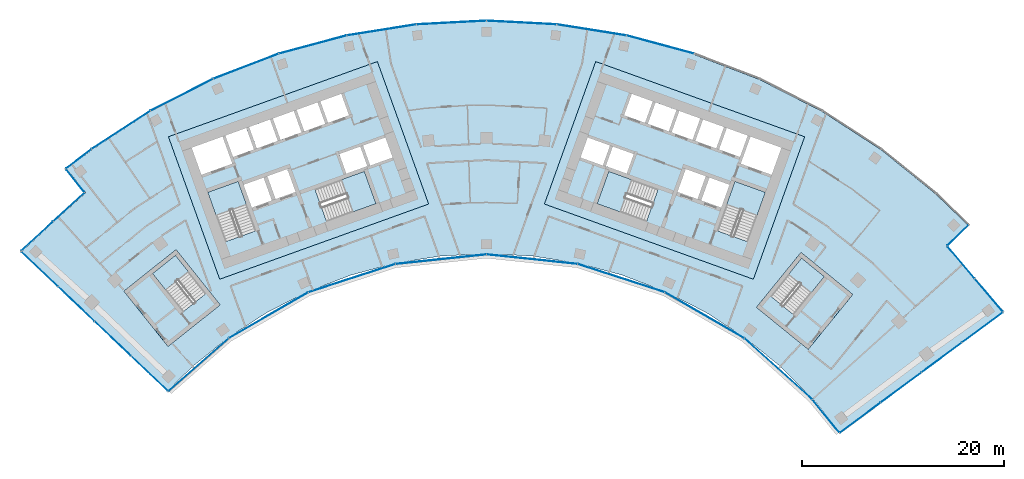
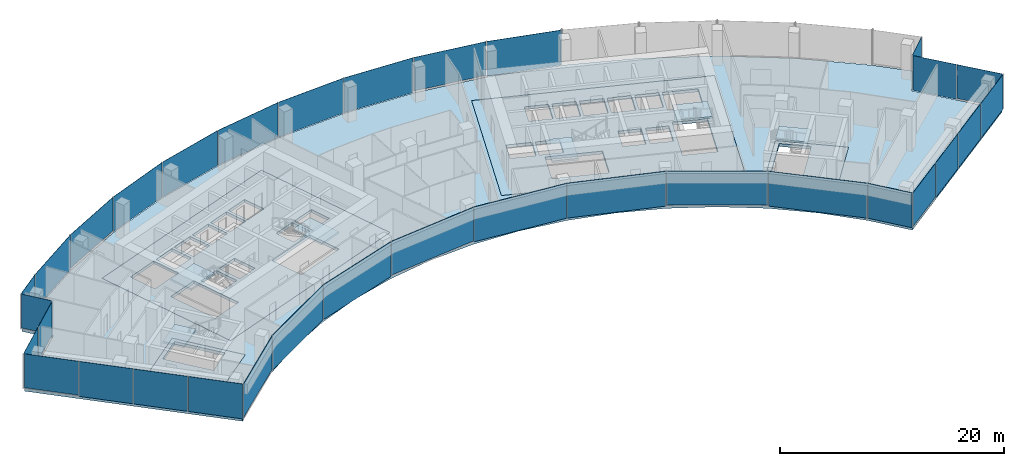
# One storey, part 10 of 19: 33 plates, 11 slabs, 14 elements without a shape of their own.
"""IFC4 building model written with IfcOpenShell, lengths in metres."""

from ifc_helpers import new_model, si_unit, direction, frame, origin, origin_2d, place, context, subcontext, project, spatial, polyline, rectangle, outline, extrude, material, layer, layer_set, type_object, element, aggregate, save


model = new_model("IFC4")

# Units and contexts
model_context = context("Model", 3, precision=1e-05, world=origin(), true_north=direction((0.0, 1.0)))
body_context = subcontext(model_context, "Body", "Model", "MODEL_VIEW")
ifc_project = project(units=[si_unit("LENGTHUNIT", "METRE"), si_unit("AREAUNIT", "SQUARE_METRE"), si_unit("VOLUMEUNIT", "CUBIC_METRE"), si_unit("PLANEANGLEUNIT", "RADIAN"), si_unit("MASSUNIT", "GRAM", prefix="KILO")], contexts=[model_context])

# Site, building, storey
site_placement = place(None, origin())
site = spatial("IfcSite", under=ifc_project, at=site_placement, CompositionType="ELEMENT")
building_placement = place(site_placement, origin())
building = spatial("IfcBuilding", under=site, at=building_placement, Name="Stone Belt Terrace Tower", CompositionType="ELEMENT")
storey_placement = place(building_placement, frame((0.0, 0.0, 204.800048828125)))
storey = spatial("IfcBuildingStorey", under=building, at=storey_placement, Name="L49", CompositionType="ELEMENT", Elevation=204.800048828125)

# Curtain wall, plates
ifc_material_1 = material(Name="Aluminium 6063-T6 anodised frame", Category="aluminium")
ifc_layer_1 = layer(ifc_material_1, 0.14990234375)
ifc_layer_set_1 = layer_set([ifc_layer_1], Name="CW-A unitised convex-face curtain wall")
curtain_wall_type_1 = type_object("IfcCurtainWallType", Name="CW-A unitised convex-face curtain wall", PredefinedType="NOTDEFINED", material=ifc_layer_set_1)
curtain_wall_1_placement = place(storey_placement, origin())
curtain_wall_1 = element("IfcCurtainWall", 1, at=curtain_wall_1_placement, inside=storey, type_object=curtain_wall_type_1, Name="CW-A convex face L49", PredefinedType="NOTDEFINED")
ifc_material_2 = material(Name="Clear double glazed unit")
ifc_layer_2 = layer(ifc_material_2, 0.031982421875)
ifc_layer_set_2 = layer_set([ifc_layer_2], Name="CW-A glass panel 32")
plate_type_1 = type_object("IfcPlateType", Name="CW-A glass panel 32", PredefinedType="CURTAIN_PANEL", material=ifc_layer_set_2)
plate_1_placement = place(storey_placement, frame((17.207275390625, 64.218505859375, 0.0), z_axis=(0.0, 0.0, 1.0), x_axis=(-0.965925826289, 0.258819045103, 0.0)))
plate_1 = element("IfcPlate", 2, at=plate_1_placement, type_object=plate_type_1, Name="CW-A panel 6.1", PredefinedType="CURTAIN_PANEL", context=body_context, shape_type="SweptSolid", body=[
    extrude(rectangle(XDim=6.90087890625, YDim=0.031982421875, at=origin_2d()), origin(), (0.0, 0.0, 1.0), 3.800048828125),
])
plate_2_placement = place(storey_placement, frame((10.400390625, 65.665283203125, 0.14013671875), z_axis=(0.0, 0.0, 1.0), x_axis=(-0.987688340595, 0.15643446504, 0.0)))
plate_2 = element("IfcPlate", 3, at=plate_2_placement, type_object=plate_type_1, Name="CW-A panel 7.1", PredefinedType="CURTAIN_PANEL", context=body_context, shape_type="SweptSolid", body=[
    extrude(rectangle(XDim=6.90087890625, YDim=0.031982421875, at=origin_2d()), origin(), (0.0, 0.0, 1.0), 3.659912109375),
])
plate_3_placement = place(storey_placement, frame((3.4794921875, 66.392822265625, 0.0), z_axis=(0.0, 0.0, 1.0), x_axis=(-0.998629534755, 0.052335956243, 0.0)))
plate_3 = element("IfcPlate", 4, at=plate_3_placement, type_object=plate_type_1, Name="CW-A panel 8.1", PredefinedType="CURTAIN_PANEL", context=body_context, shape_type="SweptSolid", body=[
    extrude(rectangle(XDim=6.90087890625, YDim=0.031982421875, at=origin_2d()), origin(), (0.0, 0.0, 1.0), 3.800048828125),
])
plate_4_placement = place(storey_placement, frame((-3.4794921875, 66.392822265625, 0.0), z_axis=(0.0, 0.0, 1.0), x_axis=(-0.998629534755, -0.052335956243, 0.0)))
plate_4 = element("IfcPlate", 5, at=plate_4_placement, type_object=plate_type_1, Name="CW-A panel 9.1", PredefinedType="CURTAIN_PANEL", context=body_context, shape_type="SweptSolid", body=[
    extrude(rectangle(XDim=6.90087890625, YDim=0.031982421875, at=origin_2d()), origin(), (0.0, 0.0, 1.0), 3.800048828125),
])
plate_5_placement = place(storey_placement, frame((-10.400390625, 65.665283203125, 0.0), z_axis=(0.0, 0.0, 1.0), x_axis=(-0.987688340595, -0.15643446504, 0.0)))
plate_5 = element("IfcPlate", 6, at=plate_5_placement, type_object=plate_type_1, Name="CW-A panel 10.1", PredefinedType="CURTAIN_PANEL", context=body_context, shape_type="SweptSolid", body=[
    extrude(rectangle(XDim=6.90087890625, YDim=0.031982421875, at=origin_2d()), origin(), (0.0, 0.0, 1.0), 3.800048828125),
])
plate_6_placement = place(storey_placement, frame((-17.207275390625, 64.218505859375, 0.0), z_axis=(0.0, 0.0, 1.0), x_axis=(-0.965925826289, -0.258819045103, 0.0)))
plate_6 = element("IfcPlate", 7, at=plate_6_placement, type_object=plate_type_1, Name="CW-A panel 11.1", PredefinedType="CURTAIN_PANEL", context=body_context, shape_type="SweptSolid", body=[
    extrude(rectangle(XDim=6.90087890625, YDim=0.031982421875, at=origin_2d()), origin(), (0.0, 0.0, 1.0), 3.800048828125),
])
plate_7_placement = place(storey_placement, frame((-23.82568359375, 62.068115234375, 0.0), z_axis=(0.0, 0.0, 1.0), x_axis=(-0.933580426497, -0.358367949545, 0.0)))
plate_7 = element("IfcPlate", 8, at=plate_7_placement, type_object=plate_type_1, Name="CW-A panel 12.1", PredefinedType="CURTAIN_PANEL", context=body_context, shape_type="SweptSolid", body=[
    extrude(rectangle(XDim=6.90087890625, YDim=0.031982421875, at=origin_2d()), origin(), (0.0, 0.0, 1.0), 3.800048828125),
])
plate_8_placement = place(storey_placement, frame((-30.18310546875, 59.237548828125, 0.14013671875), z_axis=(0.0, 0.0, 1.0), x_axis=(-0.891006524188, -0.45399049974, 0.0)))
plate_8 = element("IfcPlate", 9, at=plate_8_placement, type_object=plate_type_1, Name="CW-A panel 13.1", PredefinedType="CURTAIN_PANEL", context=body_context, shape_type="SweptSolid", body=[
    extrude(rectangle(XDim=6.90087890625, YDim=0.031982421875, at=origin_2d()), origin(), (0.0, 0.0, 1.0), 3.659912109375),
])
plate_9_placement = place(storey_placement, frame((-36.209716796875, 55.758056640625, 0.0), z_axis=(0.0, 0.0, 1.0), x_axis=(-0.838670567945, -0.544639035015, 0.0)))
plate_9 = element("IfcPlate", 10, at=plate_9_placement, type_object=plate_type_1, Name="CW-A panel 14.1", PredefinedType="CURTAIN_PANEL", context=body_context, shape_type="SweptSolid", body=[
    extrude(rectangle(XDim=6.900634765625, YDim=0.031982421875, at=origin_2d()), origin(), (0.0, 0.0, 1.0), 3.800048828125),
])
plate_10_placement = place(storey_placement, frame((-40.394775390625, 52.896240234375, 0.0), z_axis=(0.0, 0.0, 1.0), x_axis=(-0.794905425637, -0.606733355184, 0.0)))
plate_10 = element("IfcPlate", 11, at=plate_10_placement, type_object=plate_type_1, Name="CW-A panel 15.1", PredefinedType="CURTAIN_PANEL", context=body_context, shape_type="SweptSolid", body=[
    extrude(rectangle(XDim=3.1142578125, YDim=0.031982421875, at=origin_2d()), origin(), (0.0, 0.0, 1.0), 3.800048828125),
])
aggregate(curtain_wall_1, [plate_1, plate_2, plate_3, plate_4, plate_5, plate_6, plate_7, plate_8, plate_9, plate_10])

ifc_layer_3 = layer(ifc_material_1, 0.14990234375)
ifc_layer_set_3 = layer_set([ifc_layer_3], Name="CW-B unitised concave-face curtain wall")
curtain_wall_type_2 = type_object("IfcCurtainWallType", Name="CW-B unitised concave-face curtain wall", PredefinedType="NOTDEFINED", material=ifc_layer_set_3)
curtain_wall_2_placement = place(storey_placement, origin())
curtain_wall_2 = element("IfcCurtainWall", 12, at=curtain_wall_2_placement, inside=storey, type_object=curtain_wall_type_2, Name="CW-B concave face L49", PredefinedType="NOTDEFINED")
ifc_layer_4 = layer(ifc_material_2, 0.030029296875)
ifc_layer_set_4 = layer_set([ifc_layer_4], Name="CW-B glass panel 30")
plate_type_2 = type_object("IfcPlateType", Name="CW-B glass panel 30", PredefinedType="CURTAIN_PANEL", material=ifc_layer_set_4)
plate_11_placement = place(storey_placement, frame((-28.516357421875, 32.509033203125, 0.1201171875), z_axis=(0.0, 0.0, 1.0), x_axis=(0.752060320301, 0.659094283566, 0.0)))
plate_11 = element("IfcPlate", 13, at=plate_11_placement, type_object=plate_type_2, Name="CW-B panel 1.1", PredefinedType="CURTAIN_PANEL", context=body_context, shape_type="SweptSolid", body=[
    extrude(rectangle(XDim=7.8916015625, YDim=0.030029296875, at=origin_2d()), origin(), (0.0, 0.0, 1.0), 3.679931640625),
])
plate_12_placement = place(storey_placement, frame((-21.59375, 37.400634765625, 0.0), z_axis=(0.0, 0.0, 1.0), x_axis=(0.866025403784, 0.5, 0.0)))
plate_12 = element("IfcPlate", 14, at=plate_12_placement, type_object=plate_type_2, Name="CW-B panel 2.1", PredefinedType="CURTAIN_PANEL", context=body_context, shape_type="SweptSolid", body=[
    extrude(rectangle(XDim=9.013916015625, YDim=0.030029296875, at=origin_2d()), origin(), (0.0, 0.0, 1.0), 3.800048828125),
])
plate_13_placement = place(storey_placement, frame((-13.345458984375, 41.072998046875, 0.0), z_axis=(0.0, 0.0, 1.0), x_axis=(0.951056516295, 0.309016994375, 0.0)))
plate_13 = element("IfcPlate", 15, at=plate_13_placement, type_object=plate_type_2, Name="CW-B panel 3.1", PredefinedType="CURTAIN_PANEL", context=body_context, shape_type="SweptSolid", body=[
    extrude(rectangle(XDim=9.0126953125, YDim=0.030029296875, at=origin_2d()), origin(), (0.0, 0.0, 1.0), 3.800048828125),
])
plate_14_placement = place(storey_placement, frame((-4.51416015625, 42.9501953125, 0.1201171875), z_axis=(0.0, 0.0, 1.0), x_axis=(0.994521895368, 0.104528463268, 0.0)))
plate_14 = element("IfcPlate", 16, at=plate_14_placement, type_object=plate_type_2, Name="CW-B panel 4.1", PredefinedType="CURTAIN_PANEL", context=body_context, shape_type="SweptSolid", body=[
    extrude(rectangle(XDim=9.0126953125, YDim=0.030029296875, at=origin_2d()), origin(), (0.0, 0.0, 1.0), 3.679931640625),
])
plate_15_placement = place(storey_placement, frame((4.51416015625, 42.9501953125, 0.0), z_axis=(0.0, 0.0, 1.0), x_axis=(0.994521895368, -0.104528463268, 0.0)))
plate_15 = element("IfcPlate", 17, at=plate_15_placement, type_object=plate_type_2, Name="CW-B panel 5.1", PredefinedType="CURTAIN_PANEL", context=body_context, shape_type="SweptSolid", body=[
    extrude(rectangle(XDim=9.0126953125, YDim=0.030029296875, at=origin_2d()), origin(), (0.0, 0.0, 1.0), 3.800048828125),
])
plate_16_placement = place(storey_placement, frame((13.345458984375, 41.072998046875, 0.0), z_axis=(0.0, 0.0, 1.0), x_axis=(0.951056516295, -0.309016994375, 0.0)))
plate_16 = element("IfcPlate", 18, at=plate_16_placement, type_object=plate_type_2, Name="CW-B panel 6.1", PredefinedType="CURTAIN_PANEL", context=body_context, shape_type="SweptSolid", body=[
    extrude(rectangle(XDim=9.0126953125, YDim=0.030029296875, at=origin_2d()), origin(), (0.0, 0.0, 1.0), 3.800048828125),
])
plate_17_placement = place(storey_placement, frame((21.59326171875, 37.40087890625, 0.1201171875), z_axis=(0.0, 0.0, 1.0), x_axis=(0.866025403784, -0.5, 0.0)))
plate_17 = element("IfcPlate", 19, at=plate_17_placement, type_object=plate_type_2, Name="CW-B panel 7.1", PredefinedType="CURTAIN_PANEL", context=body_context, shape_type="SweptSolid", body=[
    extrude(rectangle(XDim=9.0126953125, YDim=0.030029296875, at=origin_2d()), origin(), (0.0, 0.0, 1.0), 3.679931640625),
])
plate_18_placement = place(storey_placement, frame((28.899169921875, 32.092529296875, 0.0), z_axis=(0.0, 0.0, 1.0), x_axis=(0.743144825477, -0.669130606359, 0.0)))
plate_18 = element("IfcPlate", 20, at=plate_18_placement, type_object=plate_type_2, Name="CW-B panel 8.1", PredefinedType="CURTAIN_PANEL", context=body_context, shape_type="SweptSolid", body=[
    extrude(rectangle(XDim=9.01708984375, YDim=0.030029296875, at=origin_2d()), origin(), (0.0, 0.0, 1.0), 3.800048828125),
])
plate_19_placement = place(storey_placement, frame((33.611572265625, 27.4150390625, 0.0), z_axis=(0.0, 0.0, 1.0), x_axis=(0.632397726807, -0.774643863417, 0.0)))
plate_19 = element("IfcPlate", 21, at=plate_19_placement, type_object=plate_type_2, Name="CW-B panel 9.1", PredefinedType="CURTAIN_PANEL", context=body_context, shape_type="SweptSolid", body=[
    extrude(rectangle(XDim=4.173828125, YDim=0.030029296875, at=origin_2d()), origin(), (0.0, 0.0, 1.0), 3.800048828125),
])
aggregate(curtain_wall_2, [plate_11, plate_12, plate_13, plate_14, plate_15, plate_16, plate_17, plate_18, plate_19])

ifc_layer_5 = layer(ifc_material_1, 0.14990234375)
ifc_layer_set_5 = layer_set([ifc_layer_5], Name="CW-C stick curtain wall, horn ends and notches")
curtain_wall_type_3 = type_object("IfcCurtainWallType", Name="CW-C stick curtain wall, horn ends and notches", PredefinedType="NOTDEFINED", material=ifc_layer_set_5)
curtain_wall_3_placement = place(storey_placement, origin())
curtain_wall_3 = element("IfcCurtainWall", 22, at=curtain_wall_3_placement, inside=storey, type_object=curtain_wall_type_3, Name="CW-C end face L49", PredefinedType="NOTDEFINED")
ifc_layer_6 = layer(ifc_material_2, 0.028076171875)
ifc_layer_set_6 = layer_set([ifc_layer_6], Name="CW-C glass panel 28")
plate_type_3 = type_object("IfcPlateType", Name="CW-C glass panel 28", PredefinedType="CURTAIN_PANEL", material=ifc_layer_set_6)
plate_20_placement = place(storey_placement, frame((37.032470703125, 27.263916015625, 0.1201171875), z_axis=(0.0, 0.0, 1.0), x_axis=(0.804329077539, 0.594184091865, 0.0)))
plate_20 = element("IfcPlate", 23, at=plate_20_placement, type_object=plate_type_3, Name="CW-C panel 1.1", PredefinedType="CURTAIN_PANEL", context=body_context, shape_type="SweptSolid", body=[
    extrude(rectangle(XDim=4.968017578125, YDim=0.028076171875, at=origin_2d()), origin(), (0.0, 0.0, 1.0), 3.679931640625),
])
plate_21_placement = place(storey_placement, frame((41.0654296875, 30.2431640625, 0.0), z_axis=(0.0, 0.0, 1.0), x_axis=(0.804329077539, 0.594184091865, 0.0)))
plate_21 = element("IfcPlate", 24, at=plate_21_placement, type_object=plate_type_3, Name="CW-C panel 2.1", PredefinedType="CURTAIN_PANEL", context=body_context, shape_type="SweptSolid", body=[
    extrude(rectangle(XDim=4.93994140625, YDim=0.028076171875, at=origin_2d()), origin(), (0.0, 0.0, 1.0), 3.800048828125),
])
plate_22_placement = place(storey_placement, frame((45.0869140625, 33.2138671875, 0.0), z_axis=(0.0, 0.0, 1.0), x_axis=(0.804329077539, 0.594184091865, 0.0)))
plate_22 = element("IfcPlate", 25, at=plate_22_placement, type_object=plate_type_3, Name="CW-C panel 3.1", PredefinedType="CURTAIN_PANEL", context=body_context, shape_type="SweptSolid", body=[
    extrude(rectangle(XDim=4.93994140625, YDim=0.028076171875, at=origin_2d()), origin(), (0.0, 0.0, 1.0), 3.800048828125),
])
plate_23_placement = place(storey_placement, frame((49.122802734375, 36.1953125, 0.0), z_axis=(0.0, 0.0, 1.0), x_axis=(0.804329077539, 0.594184091865, 0.0)))
plate_23 = element("IfcPlate", 26, at=plate_23_placement, type_object=plate_type_3, Name="CW-C panel 4.1", PredefinedType="CURTAIN_PANEL", context=body_context, shape_type="SweptSolid", body=[
    extrude(rectangle(XDim=4.974853515625, YDim=0.028076171875, at=origin_2d()), origin(), (0.0, 0.0, 1.0), 3.800048828125),
])
aggregate(curtain_wall_3, [plate_20, plate_21, plate_22, plate_23])

curtain_wall_4_placement = place(storey_placement, origin())
curtain_wall_4 = element("IfcCurtainWall", 27, at=curtain_wall_4_placement, inside=storey, type_object=curtain_wall_type_3, Name="CW-C notch face L49", PredefinedType="NOTDEFINED")
plate_24_placement = place(storey_placement, frame((49.75390625, 39.402587890625, 0.1201171875), z_axis=(0.0, 0.0, 1.0), x_axis=(-0.647210945735, 0.762310954743, 0.0)))
plate_24 = element("IfcPlate", 28, at=plate_24_placement, type_object=plate_type_3, Name="CW-C panel 1.1", PredefinedType="CURTAIN_PANEL", context=body_context, shape_type="SweptSolid", body=[
    extrude(rectangle(XDim=4.268798828125, YDim=0.028076171875, at=origin_2d()), origin(), (0.0, 0.0, 1.0), 3.679931640625),
])
plate_25_placement = place(storey_placement, frame((47.000244140625, 42.645751953125, 0.0), z_axis=(0.0, 0.0, 1.0), x_axis=(-0.647210945735, 0.762310954743, 0.0)))
plate_25 = element("IfcPlate", 29, at=plate_25_placement, type_object=plate_type_3, Name="CW-C panel 2.1", PredefinedType="CURTAIN_PANEL", context=body_context, shape_type="SweptSolid", body=[
    extrude(rectangle(XDim=4.12060546875, YDim=0.028076171875, at=origin_2d()), origin(), (0.0, 0.0, 1.0), 3.800048828125),
])
aggregate(curtain_wall_4, [plate_24, plate_25])

# Curtain wall, plate
curtain_wall_5_placement = place(storey_placement, origin())
curtain_wall_5 = element("IfcCurtainWall", 30, at=curtain_wall_5_placement, inside=storey, type_object=curtain_wall_type_3, Name="CW-C notch face L49", PredefinedType="NOTDEFINED")
plate_26_placement = place(storey_placement, frame((46.69677734375, 45.320068359375, 0.1201171875), z_axis=(0.0, 0.0, 1.0), x_axis=(0.71680345276, 0.697275275707, 0.0)))
plate_26 = element("IfcPlate", 31, at=plate_26_placement, type_object=plate_type_3, Name="CW-C panel 1.1", PredefinedType="CURTAIN_PANEL", context=body_context, shape_type="SweptSolid", body=[
    extrude(rectangle(XDim=2.859619140625, YDim=0.028076171875, at=origin_2d()), origin(), (0.0, 0.0, 1.0), 3.679931640625),
])
aggregate(curtain_wall_5, [plate_26])

curtain_wall_6_placement = place(storey_placement, origin())
curtain_wall_6 = element("IfcCurtainWall", 32, at=curtain_wall_6_placement, inside=storey, type_object=curtain_wall_type_3, Name="CW-C notch face L49", PredefinedType="NOTDEFINED")
plate_27_placement = place(storey_placement, frame((-40.751220703125, 50.732666015625, 0.1201171875), z_axis=(0.0, 0.0, 1.0), x_axis=(0.625342799553, -0.780350166943, 0.0)))
plate_27 = element("IfcPlate", 33, at=plate_27_placement, type_object=plate_type_3, Name="CW-C panel 1.1", PredefinedType="CURTAIN_PANEL", context=body_context, shape_type="SweptSolid", body=[
    extrude(rectangle(XDim=2.85888671875, YDim=0.028076171875, at=origin_2d()), origin(), (0.0, 0.0, 1.0), 3.679931640625),
])
aggregate(curtain_wall_6, [plate_27])

# Curtain wall, plates
curtain_wall_7_placement = place(storey_placement, origin())
curtain_wall_7 = element("IfcCurtainWall", 34, at=curtain_wall_7_placement, inside=storey, type_object=curtain_wall_type_3, Name="CW-C notch face L49", PredefinedType="NOTDEFINED")
plate_28_placement = place(storey_placement, frame((-41.38232421875, 48.116455078125, 0.1201171875), z_axis=(0.0, 0.0, 1.0), x_axis=(-0.736280049148, -0.676676945985, 0.0)))
plate_28 = element("IfcPlate", 35, at=plate_28_placement, type_object=plate_type_3, Name="CW-C panel 1.1", PredefinedType="CURTAIN_PANEL", context=body_context, shape_type="SweptSolid", body=[
    extrude(rectangle(XDim=4.12060546875, YDim=0.028076171875, at=origin_2d()), origin(), (0.0, 0.0, 1.0), 3.679931640625),
])
plate_29_placement = place(storey_placement, frame((-44.514892578125, 45.237548828125, 0.0), z_axis=(0.0, 0.0, 1.0), x_axis=(-0.736280049148, -0.676676945985, 0.0)))
plate_29 = element("IfcPlate", 36, at=plate_29_placement, type_object=plate_type_3, Name="CW-C panel 2.1", PredefinedType="CURTAIN_PANEL", context=body_context, shape_type="SweptSolid", body=[
    extrude(rectangle(XDim=4.268798828125, YDim=0.028076171875, at=origin_2d()), origin(), (0.0, 0.0, 1.0), 3.800048828125),
])
aggregate(curtain_wall_7, [plate_28, plate_29])

curtain_wall_8_placement = place(storey_placement, origin())
curtain_wall_8 = element("IfcCurtainWall", 37, at=curtain_wall_8_placement, inside=storey, type_object=curtain_wall_type_3, Name="CW-C end face L49", PredefinedType="NOTDEFINED")
plate_30_placement = place(storey_placement, frame((-44.2841796875, 41.976806640625, 0.1201171875), z_axis=(0.0, 0.0, 1.0), x_axis=(0.72491369175, -0.688839705238, 0.0)))
plate_30 = element("IfcPlate", 38, at=plate_30_placement, type_object=plate_type_3, Name="CW-C panel 1.1", PredefinedType="CURTAIN_PANEL", context=body_context, shape_type="SweptSolid", body=[
    extrude(rectangle(XDim=4.974853515625, YDim=0.028076171875, at=origin_2d()), origin(), (0.0, 0.0, 1.0), 3.679931640625),
])
plate_31_placement = place(storey_placement, frame((-40.646728515625, 38.520751953125, 0.0), z_axis=(0.0, 0.0, 1.0), x_axis=(0.72491369175, -0.688839705238, 0.0)))
plate_31 = element("IfcPlate", 39, at=plate_31_placement, type_object=plate_type_3, Name="CW-C panel 2.1", PredefinedType="CURTAIN_PANEL", context=body_context, shape_type="SweptSolid", body=[
    extrude(rectangle(XDim=4.93994140625, YDim=0.028076171875, at=origin_2d()), origin(), (0.0, 0.0, 1.0), 3.800048828125),
])
plate_32_placement = place(storey_placement, frame((-37.022216796875, 35.076416015625, 0.0), z_axis=(0.0, 0.0, 1.0), x_axis=(0.72491369175, -0.688839705238, 0.0)))
plate_32 = element("IfcPlate", 40, at=plate_32_placement, type_object=plate_type_3, Name="CW-C panel 3.1", PredefinedType="CURTAIN_PANEL", context=body_context, shape_type="SweptSolid", body=[
    extrude(rectangle(XDim=4.93994140625, YDim=0.028076171875, at=origin_2d()), origin(), (0.0, 0.0, 1.0), 3.800048828125),
])
plate_33_placement = place(storey_placement, frame((-33.388427734375, 31.623291015625, 0.0), z_axis=(0.0, 0.0, 1.0), x_axis=(0.72491369175, -0.688839705238, 0.0)))
plate_33 = element("IfcPlate", 41, at=plate_33_placement, type_object=plate_type_3, Name="CW-C panel 4.1", PredefinedType="CURTAIN_PANEL", context=body_context, shape_type="SweptSolid", body=[
    extrude(rectangle(XDim=4.9658203125, YDim=0.028076171875, at=origin_2d()), origin(), (0.0, 0.0, 1.0), 3.800048828125),
])
aggregate(curtain_wall_8, [plate_30, plate_31, plate_32, plate_33])

# Slabs
ifc_material_3 = material(Name="Concrete B40", Category="concrete")
ifc_layer_7 = layer(ifc_material_3, 0.320068359375)
ifc_layer_set_7 = layer_set([ifc_layer_7], Name="Core floor slab 320")
slab_type_1 = type_object("IfcSlabType", Name="Core floor slab 320", PredefinedType="FLOOR", material=ifc_layer_set_7)
slab_1_placement = place(storey_placement, frame((0.0, 0.0, -0.320068359375)))
element("IfcSlab", 42, at=slab_1_placement, inside=storey, type_object=slab_type_1, Name="Core A floor L49", PredefinedType="FLOOR", context=body_context, shape_type="SweptSolid", body=[
    extrude(outline(polyline([(-26.43505859375, 40.968994140625), (-5.735107421875, 48.4189453125), (-10.81396484375, 62.531982421875), (-31.513916015625, 55.0830078125), (-26.43505859375, 40.968994140625)]), holes=[polyline([(-24.60791015625, 50.659912109375), (-22.847900390625, 45.76806640625), (-25.85888671875, 44.68408203125), (-27.618896484375, 49.575927734375), (-24.60791015625, 50.659912109375)]), polyline([(-23.25, 48.06689453125), (-24.06298828125, 50.324951171875), (-22.0869140625, 51.035888671875), (-21.27392578125, 48.778076171875), (-23.25, 48.06689453125)]), polyline([(-20.89794921875, 48.9130859375), (-21.7109375, 51.1708984375), (-19.735107421875, 51.883056640625), (-18.922119140625, 49.6240234375), (-20.89794921875, 48.9130859375)]), polyline([(-28.24609375, 51.31689453125), (-29.2109375, 53.9990234375), (-26.153076171875, 55.09912109375), (-25.18798828125, 52.41796875), (-28.24609375, 51.31689453125)]), polyline([(-23.801025390625, 55.946044921875), (-23.0390625, 53.8291015625), (-25.10888671875, 53.083984375), (-25.87109375, 55.200927734375), (-23.801025390625, 55.946044921875)]), polyline([(-21.447998046875, 56.7919921875), (-20.68603515625, 54.675048828125), (-22.756103515625, 53.929931640625), (-23.51806640625, 56.047119140625), (-21.447998046875, 56.7919921875)]), polyline([(-10.955078125, 48.452880859375), (-15.846923828125, 46.69189453125), (-16.998046875, 49.89208984375), (-12.10595703125, 51.652099609375), (-10.955078125, 48.452880859375)]), polyline([(-11.847900390625, 52.116943359375), (-11.864990234375, 52.1640625), (-13.887939453125, 51.43603515625), (-14.58203125, 53.364990234375), (-12.511962890625, 54.110107421875), (-11.801025390625, 52.134033203125), (-11.847900390625, 52.116943359375)]), polyline([(-9.30810546875, 53.031005859375), (-11.51904296875, 52.235107421875), (-12.22998046875, 54.2109375), (-10.01904296875, 55.007080078125), (-9.30810546875, 53.031005859375)]), polyline([(-21.166015625, 56.89404296875), (-19.095947265625, 57.638916015625), (-18.333984375, 55.52197265625), (-20.404052734375, 54.777099609375), (-21.166015625, 56.89404296875)]), polyline([(-16.743896484375, 58.485107421875), (-15.98193359375, 56.367919921875), (-18.052001953125, 55.623046875), (-18.81396484375, 57.739990234375), (-16.743896484375, 58.485107421875)]), polyline([(-14.39111328125, 59.33203125), (-13.6298828125, 57.215087890625), (-15.699951171875, 56.469970703125), (-16.4609375, 58.5869140625), (-14.39111328125, 59.33203125)])]), origin(), (0.0, 0.0, 1.0), 0.320068359375),
])
slab_2_placement = place(storey_placement, frame((0.0, 0.0, -0.320068359375)))
element("IfcSlab", 43, at=slab_2_placement, inside=storey, type_object=slab_type_1, Name="Core B floor L49", PredefinedType="FLOOR", context=body_context, shape_type="SweptSolid", body=[
    extrude(outline(polyline([(26.43505859375, 40.968994140625), (31.513916015625, 55.0830078125), (10.81396484375, 62.531982421875), (5.735107421875, 48.4189453125), (26.43505859375, 40.968994140625)]), holes=[polyline([(12.10595703125, 51.652099609375), (16.998046875, 49.89208984375), (15.846923828125, 46.69189453125), (10.955078125, 48.452880859375), (12.10595703125, 51.652099609375)]), polyline([(12.511962890625, 54.110107421875), (14.58203125, 53.364990234375), (13.887939453125, 51.43603515625), (11.864990234375, 52.1640625), (11.847900390625, 52.116943359375), (11.801025390625, 52.134033203125), (12.511962890625, 54.110107421875)]), polyline([(9.30810546875, 53.031005859375), (10.01904296875, 55.007080078125), (12.22998046875, 54.2109375), (11.51904296875, 52.235107421875), (9.30810546875, 53.031005859375)]), polyline([(18.333984375, 55.52197265625), (19.095947265625, 57.638916015625), (21.166015625, 56.89404296875), (20.404052734375, 54.777099609375), (18.333984375, 55.52197265625)]), polyline([(16.743896484375, 58.485107421875), (18.81396484375, 57.739990234375), (18.052001953125, 55.623046875), (15.98193359375, 56.367919921875), (16.743896484375, 58.485107421875)]), polyline([(14.39111328125, 59.33203125), (16.4609375, 58.5869140625), (15.699951171875, 56.469970703125), (13.6298828125, 57.215087890625), (14.39111328125, 59.33203125)]), polyline([(27.618896484375, 49.575927734375), (25.85888671875, 44.68408203125), (22.847900390625, 45.76806640625), (24.60791015625, 50.659912109375), (27.618896484375, 49.575927734375)]), polyline([(23.25, 48.06689453125), (21.27392578125, 48.778076171875), (22.0869140625, 51.035888671875), (24.06298828125, 50.324951171875), (23.25, 48.06689453125)]), polyline([(20.89794921875, 48.9130859375), (18.922119140625, 49.6240234375), (19.735107421875, 51.883056640625), (21.7109375, 51.1708984375), (20.89794921875, 48.9130859375)]), polyline([(26.153076171875, 55.09912109375), (29.2109375, 53.9990234375), (28.24609375, 51.31689453125), (25.18798828125, 52.41796875), (26.153076171875, 55.09912109375)]), polyline([(23.801025390625, 55.946044921875), (25.87109375, 55.200927734375), (25.10888671875, 53.083984375), (23.0390625, 53.8291015625), (23.801025390625, 55.946044921875)]), polyline([(21.447998046875, 56.7919921875), (23.51806640625, 56.047119140625), (22.756103515625, 53.929931640625), (20.68603515625, 54.675048828125), (21.447998046875, 56.7919921875)])]), origin(), (0.0, 0.0, 1.0), 0.320068359375),
])
slab_3_placement = place(storey_placement, frame((0.0, 0.0, -0.320068359375)))
element("IfcSlab", 44, at=slab_3_placement, inside=storey, type_object=slab_type_1, Name="Exit stair ST3A floor L49", PredefinedType="FLOOR", context=body_context, shape_type="SweptSolid", body=[
    extrude(outline(polyline([(-26.39404296875, 38.425048828125), (-30.756103515625, 43.89990234375), (-35.91796875, 39.787109375), (-31.555908203125, 34.31298828125), (-26.39404296875, 38.425048828125)]), holes=[polyline([(-27.798095703125, 39.544921875), (-30.06591796875, 37.738037109375), (-33.087890625, 41.531005859375), (-30.820068359375, 43.337890625), (-27.798095703125, 39.544921875)])]), origin(), (0.0, 0.0, 1.0), 0.320068359375),
])
slab_4_placement = place(storey_placement, frame((0.0, 0.0, -0.320068359375)))
element("IfcSlab", 45, at=slab_4_placement, inside=storey, type_object=slab_type_1, Name="Exit stair ST3B floor L49", PredefinedType="FLOOR", context=body_context, shape_type="SweptSolid", body=[
    extrude(outline(polyline([(26.741943359375, 38.18408203125), (31.866943359375, 34.02392578125), (36.278076171875, 39.458984375), (31.154052734375, 43.618896484375), (26.741943359375, 38.18408203125)]), holes=[polyline([(30.407958984375, 37.462890625), (28.156005859375, 39.291015625), (31.2119140625, 43.055908203125), (33.464111328125, 41.22802734375), (30.407958984375, 37.462890625)])]), origin(), (0.0, 0.0, 1.0), 0.320068359375),
])
ifc_layer_8 = layer(ifc_material_3, 0.320068359375)
ifc_layer_set_8 = layer_set([ifc_layer_8], Name="Floor slab 320 B40")
slab_type_2 = type_object("IfcSlabType", Name="Floor slab 320 B40", PredefinedType="FLOOR", material=ifc_layer_set_8)
slab_5_placement = place(storey_placement, frame((0.0, 0.0, -0.320068359375)))
element("IfcSlab", 46, at=slab_5_placement, inside=storey, type_object=slab_type_2, Name="Floor slab L49", PredefinedType="FLOOR", context=body_context, shape_type="SweptSolid", body=[
    extrude(outline(polyline([(-39.087646484375, 53.799560546875), (-33.25, 57.5908203125), (-27.048095703125, 60.750732421875), (-20.549560546875, 63.245361328125), (-13.826171875, 65.046875), (-6.951171875, 66.1357421875), (0.0, 66.5), (6.951171875, 66.1357421875), (13.826171875, 65.046875), (20.549560546875, 63.245361328125), (27.048095703125, 60.750732421875), (33.25, 57.5908203125), (39.087646484375, 53.799560546875), (44.497314453125, 49.419189453125), (47.66748046875, 46.368896484375), (45.51708984375, 44.277099609375), (51.074951171875, 37.730712890625), (34.98828125, 25.846923828125), (32.326904296875, 29.107177734375), (29.107177734375, 32.326904296875), (25.568603515625, 35.192138671875), (21.75, 37.672119140625), (17.693115234375, 39.7392578125), (13.442138671875, 41.37109375), (9.044189453125, 42.54931640625), (4.547119140625, 43.26171875), (0.0, 43.5), (-4.547119140625, 43.26171875), (-9.044189453125, 42.54931640625), (-13.442138671875, 41.37109375), (-17.693115234375, 39.7392578125), (-21.75, 37.672119140625), (-25.568603515625, 35.192138671875), (-29.107177734375, 32.326904296875), (-31.53369140625, 29.964599609375), (-46.031982421875, 43.7412109375), (-39.709228515625, 49.55224609375), (-41.585205078125, 51.893310546875), (-39.087646484375, 53.799560546875)]), holes=[polyline([(-26.434814453125, 40.968994140625), (-5.734619140625, 48.418701171875), (-10.81396484375, 62.532470703125), (-31.51416015625, 55.082763671875), (-26.434814453125, 40.968994140625)]), polyline([(10.81396484375, 62.532470703125), (5.734619140625, 48.418701171875), (26.434814453125, 40.968994140625), (31.51416015625, 55.082763671875), (10.81396484375, 62.532470703125)]), polyline([(-35.91796875, 39.787353515625), (-31.55615234375, 34.3125), (-26.39404296875, 38.425048828125), (-30.756103515625, 43.89990234375), (-35.91796875, 39.787353515625)]), polyline([(36.2783203125, 39.459228515625), (31.15380859375, 43.61865234375), (26.742431640625, 38.18359375), (31.86669921875, 34.024169921875), (36.2783203125, 39.459228515625)])]), origin(), (0.0, 0.0, 1.0), 0.320068359375),
])

# Stair, slab
stair_type = type_object("IfcStairType", Name="Exit stair 1500", PredefinedType="HALF_TURN_STAIR", material=ifc_material_3)
stair_1_placement = place(storey_placement, origin())
stair_1 = element("IfcStair", 47, at=stair_1_placement, inside=storey, type_object=stair_type, Name="L49 Exit stair 1 core A", PredefinedType="HALF_TURN_STAIR")
ifc_layer_9 = layer(ifc_material_3, 0.199951171875)
ifc_layer_set_9 = layer_set([ifc_layer_9], Name="Stair landing 200")
slab_type_3 = type_object("IfcSlabType", Name="Stair landing 200", PredefinedType="LANDING", material=ifc_layer_set_9)
slab_6_placement = place(storey_placement, frame((0.0, 0.0, 1.699951171875)))
slab_6 = element("IfcSlab", 48, at=slab_6_placement, type_object=slab_type_3, Name="ST1A landing 1", PredefinedType="LANDING", context=body_context, shape_type="SweptSolid", body=[
    extrude(outline(polyline([(-23.79541015625, 48.40087890625), (-24.6083984375, 50.659912109375), (-27.619384765625, 49.576171875), (-26.806396484375, 47.3173828125), (-23.79541015625, 48.40087890625)])), origin(), (0.0, 0.0, 1.0), 0.199951171875),
])
aggregate(stair_1, [slab_6])

stair_2_placement = place(storey_placement, origin())
stair_2 = element("IfcStair", 49, at=stair_2_placement, inside=storey, type_object=stair_type, Name="L49 Exit stair 2 core A", PredefinedType="HALF_TURN_STAIR")
slab_7_placement = place(storey_placement, frame((0.0, 0.0, 1.699951171875)))
slab_7 = element("IfcSlab", 50, at=slab_7_placement, type_object=slab_type_3, Name="ST2A landing 1", PredefinedType="LANDING", context=body_context, shape_type="SweptSolid", body=[
    extrude(outline(polyline([(-13.213623046875, 47.64013671875), (-10.95458984375, 48.453125), (-12.10595703125, 51.652099609375), (-14.36474609375, 50.839111328125), (-13.213623046875, 47.64013671875)])), origin(), (0.0, 0.0, 1.0), 0.199951171875),
])
aggregate(stair_2, [slab_7])

stair_3_placement = place(storey_placement, origin())
stair_3 = element("IfcStair", 51, at=stair_3_placement, inside=storey, type_object=stair_type, Name="L49 Exit stair 1 core B", PredefinedType="HALF_TURN_STAIR")
slab_8_placement = place(storey_placement, frame((0.0, 0.0, 1.699951171875)))
slab_8 = element("IfcSlab", 52, at=slab_8_placement, type_object=slab_type_3, Name="ST1B landing 1", PredefinedType="LANDING", context=body_context, shape_type="SweptSolid", body=[
    extrude(outline(polyline([(26.806396484375, 47.3173828125), (27.619384765625, 49.576171875), (24.6083984375, 50.659912109375), (23.79541015625, 48.40087890625), (26.806396484375, 47.3173828125)])), origin(), (0.0, 0.0, 1.0), 0.199951171875),
])
aggregate(stair_3, [slab_8])

stair_4_placement = place(storey_placement, origin())
stair_4 = element("IfcStair", 53, at=stair_4_placement, inside=storey, type_object=stair_type, Name="L49 Exit stair 2 core B", PredefinedType="HALF_TURN_STAIR")
slab_9_placement = place(storey_placement, frame((0.0, 0.0, 1.699951171875)))
slab_9 = element("IfcSlab", 54, at=slab_9_placement, type_object=slab_type_3, Name="ST2B landing 1", PredefinedType="LANDING", context=body_context, shape_type="SweptSolid", body=[
    extrude(outline(polyline([(14.36474609375, 50.839111328125), (12.10595703125, 51.652099609375), (10.95458984375, 48.453125), (13.213623046875, 47.64013671875), (14.36474609375, 50.839111328125)])), origin(), (0.0, 0.0, 1.0), 0.199951171875),
])
aggregate(stair_4, [slab_9])

stair_5_placement = place(storey_placement, origin())
stair_5 = element("IfcStair", 55, at=stair_5_placement, inside=storey, type_object=stair_type, Name="L49 Exit stair 3A", PredefinedType="HALF_TURN_STAIR")
slab_10_placement = place(storey_placement, frame((0.0, 0.0, 1.699951171875)))
slab_10 = element("IfcSlab", 56, at=slab_10_placement, type_object=slab_type_3, Name="ST3A landing 1", PredefinedType="LANDING", context=body_context, shape_type="SweptSolid", body=[
    extrude(outline(polyline([(-29.541748046875, 41.73388671875), (-30.819580078125, 43.337890625), (-33.087646484375, 41.53076171875), (-31.809814453125, 39.9267578125), (-29.541748046875, 41.73388671875)])), origin(), (0.0, 0.0, 1.0), 0.199951171875),
])
aggregate(stair_5, [slab_10])

stair_6_placement = place(storey_placement, origin())
stair_6 = element("IfcStair", 57, at=stair_6_placement, inside=storey, type_object=stair_type, Name="L49 Exit stair 3B", PredefinedType="HALF_TURN_STAIR")
slab_11_placement = place(storey_placement, frame((0.0, 0.0, 1.699951171875)))
slab_11 = element("IfcSlab", 58, at=slab_11_placement, type_object=slab_type_3, Name="ST3B landing 1", PredefinedType="LANDING", context=body_context, shape_type="SweptSolid", body=[
    extrude(outline(polyline([(32.17138671875, 39.635986328125), (33.4638671875, 41.228271484375), (31.21240234375, 43.055908203125), (29.919921875, 41.463623046875), (32.17138671875, 39.635986328125)])), origin(), (0.0, 0.0, 1.0), 0.199951171875),
])
aggregate(stair_6, [slab_11])

save(model, "model.ifc")
